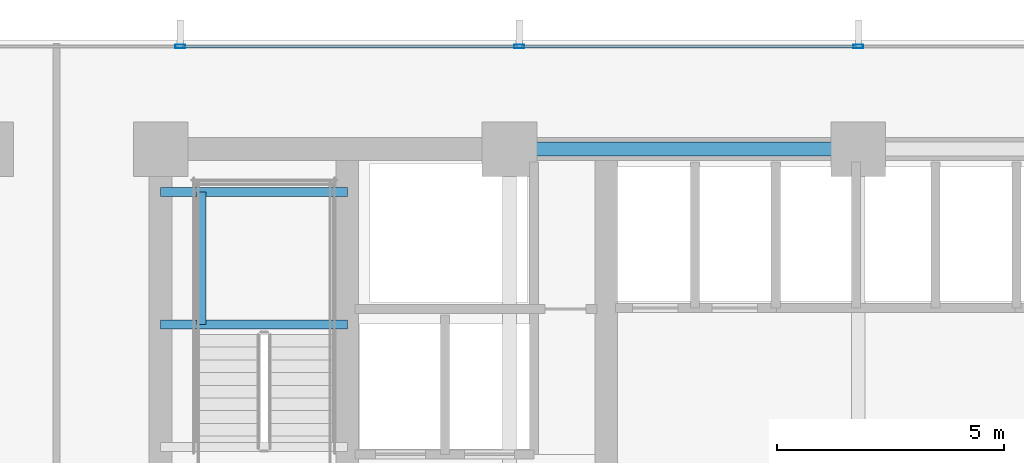
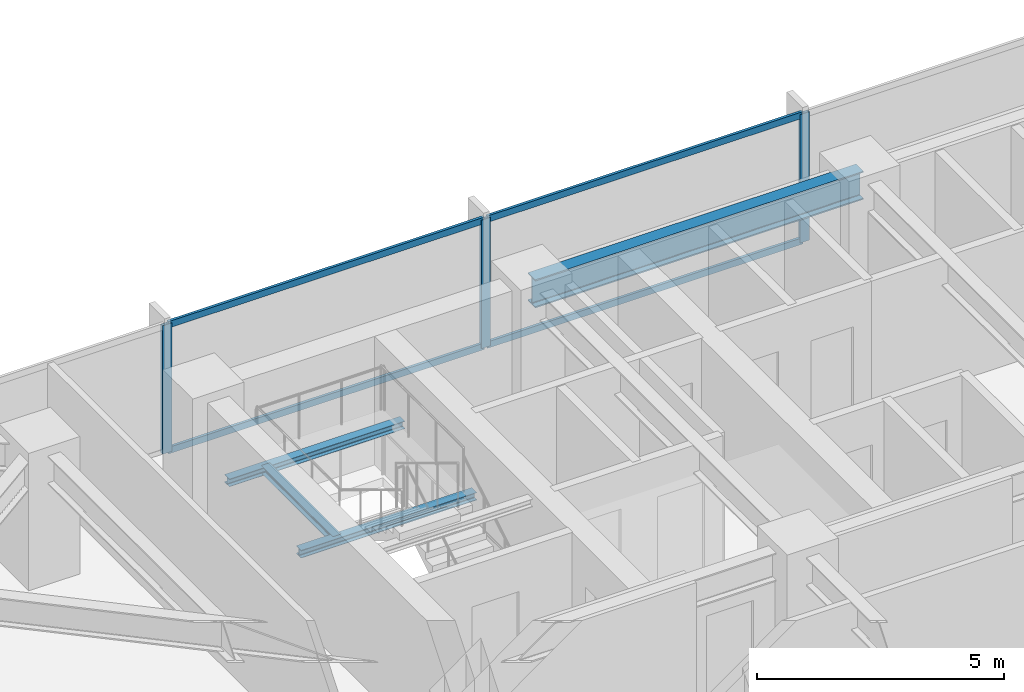
# One storey, part 18 of 33: 7 members, 4 beams, 1 element without a shape of its own.
"""IFC4 building model written with IfcOpenShell, lengths in metres."""

import ifcopenshell
import ifcopenshell.guid

model = None  # the IFC model being written
_history = None  # IfcOwnerHistory: only IFC2X3 demands one
_inside = {}  # id of a spatial element -> (the spatial element, [elements in it])
_under = {}  # id of a project, library or spatial element -> (it, [spatial elements below it])
_declared = {}  # id of a project -> (the project, [libraries it declares])
_typed = {}  # id of a type object -> (the type object, [elements of that type])
_made_of = {}  # id of a material, layer set ... -> (it, [elements and type objects made of it])


def new_model(schema):
    """Start an empty IFC model of exactly this schema.

    Asked for "IFC4X3", IfcOpenShell would pick the latest addendum, in which some entities
    have other attributes; the version numbers below select the first issue.
    IFC2X3 requires an IfcOwnerHistory on every rooted entity: one is made here for all.
    """
    global model, _history
    if schema == "IFC4X3":
        model = ifcopenshell.file(schema_version=(4, 3, 0, 0))
    else:
        model = ifcopenshell.file(schema=schema)
    _inside.clear()
    _under.clear()
    _declared.clear()
    _typed.clear()
    _made_of.clear()
    _history = None
    if model.schema == "IFC2X3":
        org = make("IfcOrganization", Name="unknown")
        user = make(
            "IfcPersonAndOrganization",
            ThePerson=make("IfcPerson", FamilyName="unknown"),
            TheOrganization=org,
        )
        app = make(
            "IfcApplication",
            ApplicationDeveloper=org,
            Version="unknown",
            ApplicationFullName="unknown",
            ApplicationIdentifier="unknown",
        )
        _history = make(
            "IfcOwnerHistory",
            OwningUser=user,
            OwningApplication=app,
            ChangeAction="ADDED",
            CreationDate=0,
        )
    return model


def make(cls, **values):
    """One entity of the class cls with the attributes given. An attribute that is None is left unset."""
    return model.create_entity(
        cls, **{name: value for name, value in values.items() if value is not None}
    )


def rooted(cls, **values):
    """An entity with a GlobalId (a new one), such as an element, a storey or a relation."""
    return make(cls, GlobalId=ifcopenshell.guid.new(), OwnerHistory=_history, **values)


def si_unit(unit_type, name, prefix=None):
    """IfcSIUnit, for example si_unit("LENGTHUNIT", "METRE", prefix="MILLI")."""
    return make("IfcSIUnit", UnitType=unit_type, Prefix=prefix, Name=name)


def assignment(units):
    """IfcUnitAssignment: the units of a project."""
    return None if units is None else make("IfcUnitAssignment", Units=units)


def point(xyz):
    """IfcCartesianPoint."""
    return None if xyz is None else make("IfcCartesianPoint", Coordinates=xyz)


def direction(xyz):
    """IfcDirection."""
    return None if xyz is None else make("IfcDirection", DirectionRatios=xyz)


def frame(location, z_axis=None, x_axis=None):
    """IfcAxis2Placement3D, a coordinate frame: its origin and axes. An axis left out is left unset."""
    return make(
        "IfcAxis2Placement3D",
        Location=point(location),
        Axis=direction(z_axis),
        RefDirection=direction(x_axis),
    )


def frame_2d(location, x_axis=None):
    """IfcAxis2Placement2D, a coordinate frame in the plane: its origin and x axis."""
    return make(
        "IfcAxis2Placement2D", Location=point(location), RefDirection=direction(x_axis)
    )


def origin():
    """The frame at (0, 0, 0) with its axes left unset."""
    return frame((0.0, 0.0, 0.0))


def origin_2d():
    """The frame at (0, 0) in the plane with its x axis left unset."""
    return frame_2d((0.0, 0.0))


def place(relative_to, where):
    """IfcLocalPlacement: puts the frame where relative to a parent placement (None: the world)."""
    return make(
        "IfcLocalPlacement", PlacementRelTo=relative_to, RelativePlacement=where
    )


def context(
    kind, dimensions, precision=None, world=None, true_north=None, identifier=None
):
    """IfcGeometricRepresentationContext, for example the 3D "Model" context."""
    return make(
        "IfcGeometricRepresentationContext",
        ContextIdentifier=identifier,
        ContextType=kind,
        CoordinateSpaceDimension=dimensions,
        Precision=precision,
        WorldCoordinateSystem=world,
        TrueNorth=true_north,
    )


def subcontext(parent, identifier, kind, view, scale=None):
    """IfcGeometricRepresentationSubContext, for example "Body" below "Model"."""
    return make(
        "IfcGeometricRepresentationSubContext",
        ContextIdentifier=identifier,
        ContextType=kind,
        ParentContext=parent,
        TargetScale=scale,
        TargetView=view,
    )


def project(units=None, contexts=None):
    """IfcProject with its units and contexts."""
    return rooted(
        "IfcProject",
        Name="project",
        RepresentationContexts=contexts,
        UnitsInContext=assignment(units),
    )


def spatial(cls, under=None, at=None, **own):
    """A site, building, storey or space (cls), placed at a placement, below another one or the project."""
    s = rooted(cls, ObjectPlacement=at, **own)
    if under is not None:
        _under.setdefault(under.id(), (under, []))[1].append(s)
    return s


def profile(cls, at=None, kind="AREA", **sizes):
    """A parametric profile (cls). Its sizes go by their IFC names, for example OverallWidth=200.0."""
    return make(cls, ProfileType=kind, Position=at, **sizes)


def hollow_rectangle(**sizes):
    """IfcRectangleHollowProfileDef."""
    return profile("IfcRectangleHollowProfileDef", **sizes)


def i_section(**sizes):
    """IfcIShapeProfileDef."""
    return profile("IfcIShapeProfileDef", **sizes)


def extrude(swept, where, along, depth):
    """IfcExtrudedAreaSolid: the profile swept, set in the frame where, extruded along a direction by depth."""
    return make(
        "IfcExtrudedAreaSolid",
        SweptArea=swept,
        Position=where,
        ExtrudedDirection=direction(along),
        Depth=depth,
    )


def shape(context_of_items, identifier, shape_type, items):
    """IfcShapeRepresentation: the items that make up one representation, for example the "Body"."""
    return make(
        "IfcShapeRepresentation",
        ContextOfItems=context_of_items,
        RepresentationIdentifier=identifier,
        RepresentationType=shape_type,
        Items=items,
    )


def material(Name=None, Category=None):
    """IfcMaterial."""
    return make("IfcMaterial", Name=Name, Category=Category)


def material_profile(
    of_material, cross_section, Name=None, Category=None, Priority=None
):
    """IfcMaterialProfile: a cross section and its material."""
    return make(
        "IfcMaterialProfile",
        Name=Name,
        Material=of_material,
        Profile=cross_section,
        Priority=Priority,
        Category=Category,
    )


def profile_set(profiles, Name=None, composite=None):
    """IfcMaterialProfileSet."""
    return make(
        "IfcMaterialProfileSet",
        Name=Name,
        MaterialProfiles=profiles,
        CompositeProfile=composite,
    )


def made_of(thing, what):
    """Note that an element or type object is made of a material, layer set ...; save() writes the relation."""
    if what is not None:
        _made_of.setdefault(what.id(), (what, []))[1].append(thing)
    return thing


def type_object(cls, material=None, **own):
    """A type object (cls), such as IfcWallType, which elements share."""
    return made_of(rooted(cls, **own), material)


def element(
    cls,
    number,
    at=None,
    inside=None,
    cuts=None,
    type_object=None,
    material=None,
    context=None,
    identifier="Body",
    shape_type=None,
    held_by="IfcProductDefinitionShape",
    body=None,
    shapes=None,
    **own,
):
    """One element of the class cls, such as IfcWall. Its Tag is "e" and its number.

    at: its placement. inside: the storey or other place that contains it. cuts: it is an
    opening in that element (IfcRelVoidsElement). A single representation is given by context,
    identifier, shape_type and body (its items); several are given by shapes. held_by: the class
    of the entity that holds the representations. save() writes the other relations.
    """
    e = rooted(cls, Tag="e%d" % number, ObjectPlacement=at, **own)
    if body is not None:
        shapes = [shape(context, identifier, shape_type, body)]
    if shapes is not None:
        e.Representation = make(held_by, Representations=shapes)
    if inside is not None:
        _inside.setdefault(inside.id(), (inside, []))[1].append(e)
    if cuts is not None:
        rooted(
            "IfcRelVoidsElement", RelatingBuildingElement=cuts, RelatedOpeningElement=e
        )
    if type_object is not None:
        _typed.setdefault(type_object.id(), (type_object, []))[1].append(e)
    return made_of(e, material)


def aggregate(whole, parts):
    """IfcRelAggregates: a whole, such as a stair, and the parts it consists of."""
    return rooted("IfcRelAggregates", RelatingObject=whole, RelatedObjects=parts)


def save(model, path):
    """Write the relations noted so far, then the file.

    IfcRelAggregates (storeys below a building ...), IfcRelContainedInSpatialStructure (elements
    in a storey), IfcRelDefinesByType, IfcRelAssociatesMaterial and IfcRelDeclares: one each for
    every whole, place, type object, material and project.
    """
    for whole, parts in _under.values():
        aggregate(whole, parts)
    for where, things in _inside.values():
        rooted(
            "IfcRelContainedInSpatialStructure",
            RelatedElements=things,
            RelatingStructure=where,
        )
    for kind, things in _typed.values():
        rooted("IfcRelDefinesByType", RelatedObjects=things, RelatingType=kind)
    for what, things in _made_of.values():
        rooted("IfcRelAssociatesMaterial", RelatedObjects=things, RelatingMaterial=what)
    for by, libraries in _declared.values():
        rooted("IfcRelDeclares", RelatingContext=by, RelatedDefinitions=libraries)
    model.write(path)


model = new_model("IFC4")

# Units and contexts
model_context = context("Model", 3, precision=1e-05, world=origin(), true_north=direction((0.0, 1.0)))
body_context = subcontext(model_context, "Body", "Model", "MODEL_VIEW")
ifc_project = project(units=[si_unit("LENGTHUNIT", "METRE"), si_unit("AREAUNIT", "SQUARE_METRE"), si_unit("VOLUMEUNIT", "CUBIC_METRE"), si_unit("PLANEANGLEUNIT", "RADIAN"), si_unit("MASSUNIT", "GRAM", prefix="KILO")], contexts=[model_context])

# Site, building, storey
site_placement = place(None, origin())
site = spatial("IfcSite", under=ifc_project, at=site_placement, CompositionType="ELEMENT")
building_placement = place(site_placement, origin())
building = spatial("IfcBuilding", under=site, at=building_placement, Name="Yelkora Congress Tower", CompositionType="ELEMENT")
storey_placement = place(building_placement, frame((0.0, 0.0, 54.199951171875)))
storey = spatial("IfcBuildingStorey", under=building, at=storey_placement, Name="L13", CompositionType="ELEMENT", Elevation=54.199951171875)

# Beams
ifc_material_1 = material(Name="Steel S355J2", Category="steel")
ifc_material_profile_1 = material_profile(ifc_material_1, i_section(OverallWidth=0.300048828125, OverallDepth=0.699951171875, WebThickness=0.01708984375, FlangeThickness=0.031982421875, FilletRadius=0.027099609375, at=origin_2d()), Name="HEB 700")
ifc_profile_set_1 = profile_set([ifc_material_profile_1], Name="Steel S355J2")
beam_type_1 = type_object("IfcBeamType", Name="BM-GIRD-HEB700", PredefinedType="BEAM", material=ifc_profile_set_1)
beam_1_placement = place(storey_placement, frame((30.719970703125, 46.199951171875, 2.830078125), z_axis=(1.0, 0.0, 0.0), x_axis=(0.0, 1.0, 0.0)))
element("IfcBeam", 1, at=beam_1_placement, inside=storey, type_object=beam_type_1, Name="L13 Core North Girder 3", PredefinedType="BEAM", context=body_context, shape_type="SweptSolid", body=[
    extrude(i_section(OverallWidth=0.300048828125, OverallDepth=0.699951171875, WebThickness=0.01708984375, FlangeThickness=0.031982421875, FilletRadius=0.027099609375, at=origin_2d()), origin(), (0.0, 0.0, 1.0), 7.679931640625),
])
ifc_material_profile_2 = material_profile(ifc_material_1, i_section(OverallWidth=0.199951171875, OverallDepth=0.18994140625, WebThickness=0.006591796875, FlangeThickness=0.010009765625, FilletRadius=0.01806640625, at=origin_2d()), Name="HEA 200")
ifc_profile_set_2 = profile_set([ifc_material_profile_2], Name="Steel S355J2")
beam_type_2 = type_object("IfcBeamType", Name="BM-LAND-HEA200", PredefinedType="BEAM", material=ifc_profile_set_2)
for number, where, z_axis, x_axis, name in (
    (2, (23.0400390625, 42.340087890625, 1.384765625), (1.0, 0.0, 0.0), (0.0, 1.0, 0.0), "ST-01 L13 Landing Header Beam 1S"),
    (3, (23.0400390625, 45.25, 1.384765625), (1.0, 0.0, 0.0), (0.0, 1.0, 0.0), "ST-01 L13 Landing Header Beam 1N"),
):
    element("IfcBeam", number, at=place(storey_placement, frame(where, z_axis=z_axis, x_axis=x_axis)), inside=storey, type_object=beam_type_2, Name=name, PredefinedType="BEAM", context=body_context, shape_type="SweptSolid", body=[
        extrude(i_section(OverallWidth=0.199951171875, OverallDepth=0.18994140625, WebThickness=0.006591796875, FlangeThickness=0.010009765625, FilletRadius=0.01806640625, at=origin_2d()), origin(), (0.0, 0.0, 1.0), 4.10986328125),
    ])
beam_2_placement = place(storey_placement, frame((23.93994140625, 42.340087890625, 1.384765625), z_axis=(0.0, 1.0, 0.0), x_axis=(-1.0, 0.0, 0.0)))
element("IfcBeam", 4, at=beam_2_placement, inside=storey, type_object=beam_type_2, Name="ST-01 L13 Landing Trimmer Beam 1M", PredefinedType="BEAM", context=body_context, shape_type="SweptSolid", body=[
    extrude(i_section(OverallWidth=0.199951171875, OverallDepth=0.18994140625, WebThickness=0.006591796875, FlangeThickness=0.010009765625, FilletRadius=0.01806640625, at=origin_2d()), origin(), (0.0, 0.0, 1.0), 2.909912109375),
])

# Curtain wall, members
ifc_material_2 = material(Name="Anodised aluminium and insulated glass", Category="aluminium")
curtain_wall_type = type_object("IfcCurtainWallType", Name="CW-SYS-B1", PredefinedType="NOTDEFINED", material=ifc_material_2)
curtain_wall_placement = place(storey_placement, origin())
curtain_wall = element("IfcCurtainWall", 5, at=curtain_wall_placement, inside=storey, type_object=curtain_wall_type, Name="L13 Unitised Curtain Wall 10", PredefinedType="NOTDEFINED")
ifc_material_3 = material(Name="Anodised aluminium 6063-T6", Category="aluminium")
ifc_material_profile_3 = material_profile(ifc_material_3, hollow_rectangle(XDim=0.074951171875, YDim=0.219970703125, WallThickness=0.0048828125, at=origin_2d()), Name="ALU 75x220x5")
ifc_profile_set_3 = profile_set([ifc_material_profile_3], Name="Anodised aluminium 6063-T6")
member_type_1 = type_object("IfcMemberType", Name="MEM-ML-B1", PredefinedType="MULLION", material=ifc_profile_set_3)
member_1_placement = place(storey_placement, frame((23.469970703125, 48.4599609375, 0.0), z_axis=(0.0, 0.0, 1.0), x_axis=(0.0, 1.0, 0.0)))
member_1 = element("IfcMember", 6, at=member_1_placement, type_object=member_type_1, Name="CW-B1 mullion 3", PredefinedType="MULLION", context=body_context, shape_type="SweptSolid", body=[
    extrude(hollow_rectangle(XDim=0.074951171875, YDim=0.219970703125, WallThickness=0.0048828125, at=origin_2d()), origin(), (0.0, 0.0, 1.0), 3.179931640625),
])
member_2_placement = place(storey_placement, frame((30.93505859375, 48.4599609375, 0.0), z_axis=(0.0, 0.0, 1.0), x_axis=(0.0, 1.0, 0.0)))
member_2 = element("IfcMember", 7, at=member_2_placement, type_object=member_type_1, Name="CW-B1 mullion 4", PredefinedType="MULLION", context=body_context, shape_type="SweptSolid", body=[
    extrude(hollow_rectangle(XDim=0.074951171875, YDim=0.219970703125, WallThickness=0.0048828125, at=origin_2d()), origin(), (0.0, 0.0, 1.0), 3.179931640625),
])
member_3_placement = place(storey_placement, frame((38.39990234375, 48.4599609375, 0.0), z_axis=(0.0, 0.0, 1.0), x_axis=(0.0, 1.0, 0.0)))
member_3 = element("IfcMember", 8, at=member_3_placement, type_object=member_type_1, Name="CW-B1 mullion 5", PredefinedType="MULLION", context=body_context, shape_type="SweptSolid", body=[
    extrude(hollow_rectangle(XDim=0.074951171875, YDim=0.219970703125, WallThickness=0.0048828125, at=origin_2d()), origin(), (0.0, 0.0, 1.0), 3.179931640625),
])
ifc_material_profile_4 = material_profile(ifc_material_3, hollow_rectangle(XDim=0.06494140625, YDim=0.159912109375, WallThickness=0.00390625, at=origin_2d()), Name="ALU 65x160x4")
ifc_profile_set_4 = profile_set([ifc_material_profile_4], Name="Anodised aluminium 6063-T6")
member_type_2 = type_object("IfcMemberType", Name="MEM-TR-B1", PredefinedType="USERDEFINED", material=ifc_profile_set_4)
member_4_placement = place(storey_placement, frame((23.507568359375, 48.4599609375, 0.032470703125), z_axis=(1.0, 0.0, 0.0), x_axis=(0.0, 1.0, 0.0)))
member_4 = element("IfcMember", 9, at=member_4_placement, type_object=member_type_2, Name="CW-B1 transom 3.1", ObjectType="TRANSOM", PredefinedType="USERDEFINED", context=body_context, shape_type="SweptSolid", body=[
    extrude(hollow_rectangle(XDim=0.06494140625, YDim=0.159912109375, WallThickness=0.00390625, at=origin_2d()), origin(), (0.0, 0.0, 1.0), 7.389892578125),
])
member_5_placement = place(storey_placement, frame((23.507568359375, 48.4599609375, 3.1474609375), z_axis=(1.0, 0.0, 0.0), x_axis=(0.0, 1.0, 0.0)))
member_5 = element("IfcMember", 10, at=member_5_placement, type_object=member_type_2, Name="CW-B1 transom 3.2", ObjectType="TRANSOM", PredefinedType="USERDEFINED", context=body_context, shape_type="SweptSolid", body=[
    extrude(hollow_rectangle(XDim=0.06494140625, YDim=0.159912109375, WallThickness=0.00390625, at=origin_2d()), origin(), (0.0, 0.0, 1.0), 7.389892578125),
])
member_6_placement = place(storey_placement, frame((30.972412109375, 48.4599609375, 0.032470703125), z_axis=(1.0, 0.0, 0.0), x_axis=(0.0, 1.0, 0.0)))
member_6 = element("IfcMember", 11, at=member_6_placement, type_object=member_type_2, Name="CW-B1 transom 4.1", ObjectType="TRANSOM", PredefinedType="USERDEFINED", context=body_context, shape_type="SweptSolid", body=[
    extrude(hollow_rectangle(XDim=0.06494140625, YDim=0.159912109375, WallThickness=0.00390625, at=origin_2d()), origin(), (0.0, 0.0, 1.0), 7.39013671875),
])
member_7_placement = place(storey_placement, frame((30.972412109375, 48.4599609375, 3.1474609375), z_axis=(1.0, 0.0, 0.0), x_axis=(0.0, 1.0, 0.0)))
member_7 = element("IfcMember", 12, at=member_7_placement, type_object=member_type_2, Name="CW-B1 transom 4.2", ObjectType="TRANSOM", PredefinedType="USERDEFINED", context=body_context, shape_type="SweptSolid", body=[
    extrude(hollow_rectangle(XDim=0.06494140625, YDim=0.159912109375, WallThickness=0.00390625, at=origin_2d()), origin(), (0.0, 0.0, 1.0), 7.39013671875),
])
aggregate(curtain_wall, [member_1, member_2, member_3, member_4, member_5, member_6, member_7])

save(model, "model.ifc")
